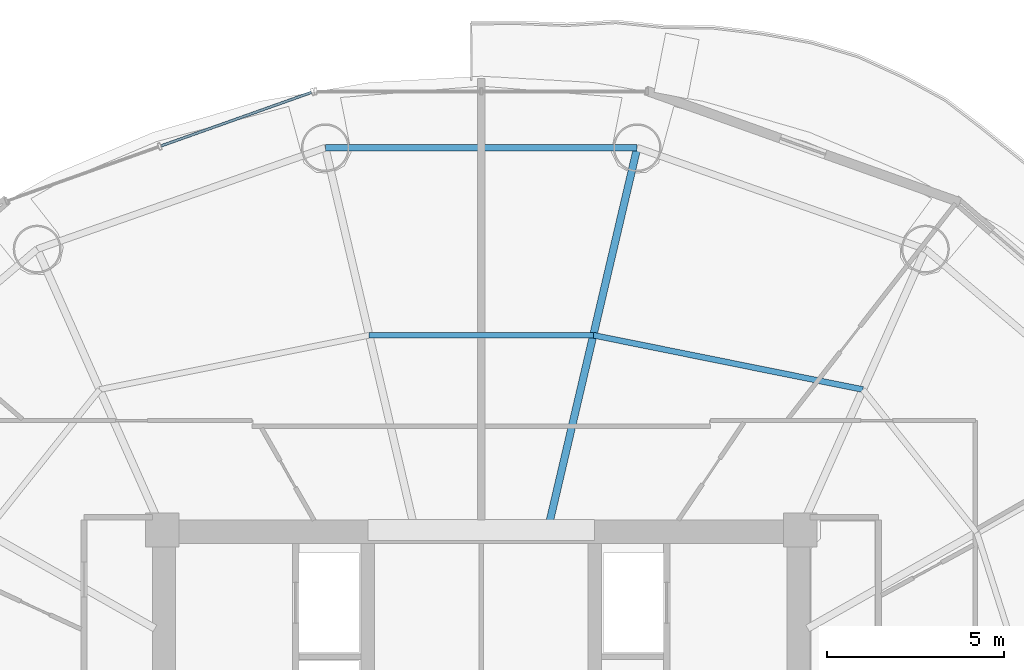
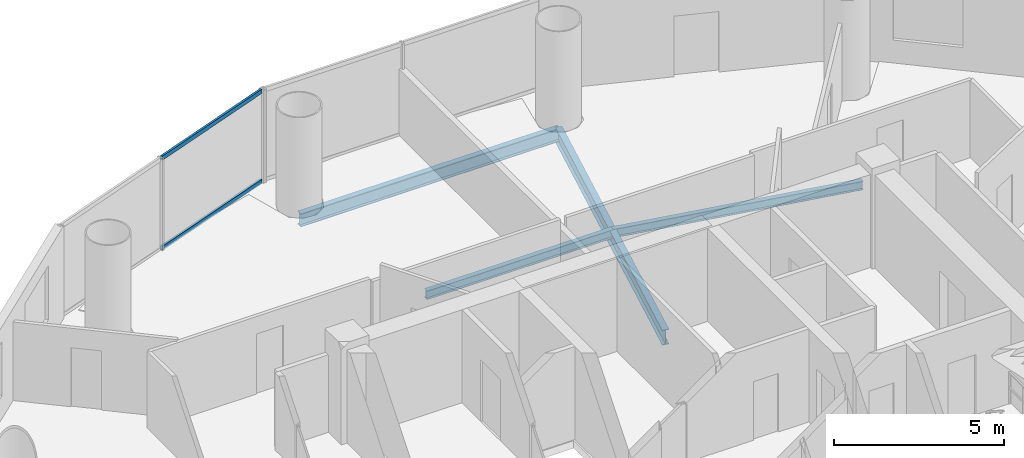
# One storey, part 15 of 26: 4 beams, 2 members, 1 element without a shape of its own.
"""IFC4 building model written with IfcOpenShell, lengths in metres."""

from ifc_helpers import new_model, si_unit, direction, frame, origin, origin_2d, place, context, subcontext, project, spatial, hollow_rectangle, i_section, extrude, source, transform, mapped, material, material_profile, profile_set, type_object, element, aggregate, save


model = new_model("IFC4")

# Units and contexts
model_context = context("Model", 3, precision=1e-05, world=origin(), true_north=direction((-0.2419218956, 0.970295726276)))
body_context = subcontext(model_context, "Body", "Model", "MODEL_VIEW")
ifc_project = project(units=[si_unit("LENGTHUNIT", "METRE"), si_unit("AREAUNIT", "SQUARE_METRE"), si_unit("VOLUMEUNIT", "CUBIC_METRE"), si_unit("PLANEANGLEUNIT", "RADIAN"), si_unit("MASSUNIT", "GRAM", prefix="KILO")], contexts=[model_context])

# Site, building, storey
site_placement = place(None, origin())
site = spatial("IfcSite", under=ifc_project, at=site_placement, CompositionType="ELEMENT")
building_placement = place(site_placement, origin())
building = spatial("IfcBuilding", under=site, at=building_placement, Name="Cobrevalo Terracotta Tower", CompositionType="ELEMENT")
storey_placement = place(building_placement, frame((0.0, 0.0, 167.800048828125)))
storey = spatial("IfcBuildingStorey", under=building, at=storey_placement, Name="L44", CompositionType="ELEMENT", Elevation=167.800048828125)

# Beams
ifc_material_1 = material(Name="Steel S355", Category="steel")
ifc_material_profile_1 = material_profile(ifc_material_1, i_section(OverallWidth=0.2109375, OverallDepth=0.5390625, WebThickness=0.01171875, FlangeThickness=0.018798828125, at=origin_2d()), Name="W 530x109")
ifc_profile_set_1 = profile_set([ifc_material_profile_1], Name="Steel S355")
beam_type_1 = type_object("IfcBeamType", Name="Structural Beam W 530x109 (Steel S355)", PredefinedType="BEAM", material=ifc_profile_set_1)
beam_1_placement = place(storey_placement, frame((42.399169921875, 45.58203125, -0.53955078125), z_axis=(-0.228040864186, -0.973651562039, 0.0), x_axis=(0.973651562039, -0.228040864186, 0.0)))
element("IfcBeam", 1, at=beam_1_placement, inside=storey, type_object=beam_type_1, Name="L44 radial floor girder 04", PredefinedType="BEAM", context=body_context, shape_type="SweptSolid", body=[
    extrude(i_section(OverallWidth=0.2109375, OverallDepth=0.5390625, WebThickness=0.01171875, FlangeThickness=0.018798828125, at=origin_2d()), origin(), (0.0, 0.0, 1.0), 10.86328125),
])
ifc_material_profile_2 = material_profile(ifc_material_1, i_section(OverallWidth=0.1650390625, OverallDepth=0.31005859375, WebThickness=0.005859375, FlangeThickness=0.009765625, at=origin_2d()), Name="W 310x38.7")
ifc_profile_set_2 = profile_set([ifc_material_profile_2], Name="Steel S355")
beam_type_2 = type_object("IfcBeamType", Name="Structural Joist W 310x38.7 (Steel S355)", PredefinedType="JOIST", material=ifc_profile_set_2)
beam_2_placement = place(storey_placement, frame((48.76416015625, 38.76123046875, -0.425048828125), z_axis=(-0.980293928329, 0.197544461026, 0.0), x_axis=(-0.197544461026, -0.980293928329, 0.0)))
element("IfcBeam", 2, at=beam_2_placement, inside=storey, type_object=beam_type_2, Name="L44 circumferential secondary floor joist 03", PredefinedType="JOIST", context=body_context, shape_type="SweptSolid", body=[
    extrude(i_section(OverallWidth=0.1650390625, OverallDepth=0.31005859375, WebThickness=0.005859375, FlangeThickness=0.009765625, at=origin_2d()), origin(), (0.0, 0.0, 1.0), 7.75634765625),
])
beam_3_placement = place(storey_placement, frame((41.16064453125, 40.29345703125, -0.425048828125), z_axis=(-1.0, 0.0, 0.0), x_axis=(0.0, -1.0, 0.0)))
element("IfcBeam", 3, at=beam_3_placement, inside=storey, type_object=beam_type_2, Name="L44 circumferential secondary floor joist 04", PredefinedType="JOIST", context=body_context, shape_type="SweptSolid", body=[
    extrude(i_section(OverallWidth=0.1650390625, OverallDepth=0.31005859375, WebThickness=0.005859375, FlangeThickness=0.009765625, at=origin_2d()), origin(), (0.0, 0.0, 1.0), 6.3212890625),
])
ifc_material_profile_3 = material_profile(ifc_material_1, i_section(OverallWidth=0.194091796875, OverallDepth=0.468994140625, WebThickness=0.011474609375, FlangeThickness=0.0205078125, at=origin_2d()), Name="W 460x106")
ifc_profile_set_3 = profile_set([ifc_material_profile_3], Name="Steel S355")
beam_type_3 = type_object("IfcBeamType", Name="Structural Spandrel W 460x106 (Steel S355)", PredefinedType="SPANDREL", material=ifc_profile_set_3)
beam_4_placement = place(storey_placement, frame((42.399169921875, 45.58203125, -0.504638671875), z_axis=(-1.0, 0.0, 0.0), x_axis=(0.0, -1.0, 0.0)))
element("IfcBeam", 4, at=beam_4_placement, inside=storey, type_object=beam_type_3, Name="L44 perimeter ring spandrel 04", PredefinedType="SPANDREL", context=body_context, shape_type="SweptSolid", body=[
    extrude(i_section(OverallWidth=0.194091796875, OverallDepth=0.468994140625, WebThickness=0.011474609375, FlangeThickness=0.0205078125, at=origin_2d()), origin(), (0.0, 0.0, 1.0), 8.79833984375),
])

# Curtain wall, members
ifc_material_2 = material(Name="Anodized aluminium", Category="aluminium")
curtain_wall_type = type_object("IfcCurtainWallType", Name="Mid-tower high-wind unitised curtain wall CW-U2", PredefinedType="NOTDEFINED", material=ifc_material_2)
curtain_wall_placement = place(storey_placement, origin())
curtain_wall = element("IfcCurtainWall", 5, at=curtain_wall_placement, inside=storey, type_object=curtain_wall_type, Name="L44 curtain wall CW-L44-S05", PredefinedType="NOTDEFINED")
ifc_material_profile_4 = material_profile(ifc_material_2, hollow_rectangle(XDim=0.074951171875, YDim=0.14990234375, WallThickness=0.00439453125, at=origin_2d()), Name="CWT 75x150")
ifc_profile_set_4 = profile_set([ifc_material_profile_4], Name="Anodized aluminium")
member_type = type_object("IfcMemberType", Name="Tower unitised aluminium transom 75x150", PredefinedType="USERDEFINED", material=ifc_profile_set_4)
shared_shape = source(origin(), body_context, "Body", "SweptSolid", [
    extrude(hollow_rectangle(XDim=0.074951171875, YDim=0.14990234375, WallThickness=0.00439453125, at=origin_2d()), origin(), (0.0, 0.0, 1.0), 4.50390625),
])
member_1_placement = place(storey_placement, frame((33.209228515625, 47.14404296875, 0.050048828125), z_axis=(-0.94210437316, -0.335319772863, 0.0), x_axis=(0.335319772863, -0.94210437316, 0.0)))
member_1 = element("IfcMember", 6, at=member_1_placement, type_object=member_type, Name="CW-L44-S05 transom B01-T1", ObjectType="TRANSOM", PredefinedType="USERDEFINED", context=body_context, shape_type="MappedRepresentation", body=[
    mapped(shared_shape, transform((0.0, 0.0, 0.0), scale=1.0)),
])
member_2_placement = place(storey_placement, frame((33.209228515625, 47.14404296875, 3.280029296875), z_axis=(-0.94210437316, -0.335319772863, 0.0), x_axis=(0.335319772863, -0.94210437316, 0.0)))
member_2 = element("IfcMember", 7, at=member_2_placement, type_object=member_type, Name="CW-L44-S05 transom B01-T2", ObjectType="TRANSOM", PredefinedType="USERDEFINED", context=body_context, shape_type="MappedRepresentation", body=[
    mapped(shared_shape, transform((0.0, 0.0, 0.0), scale=1.0)),
])
aggregate(curtain_wall, [member_1, member_2])

save(model, "model.ifc")
